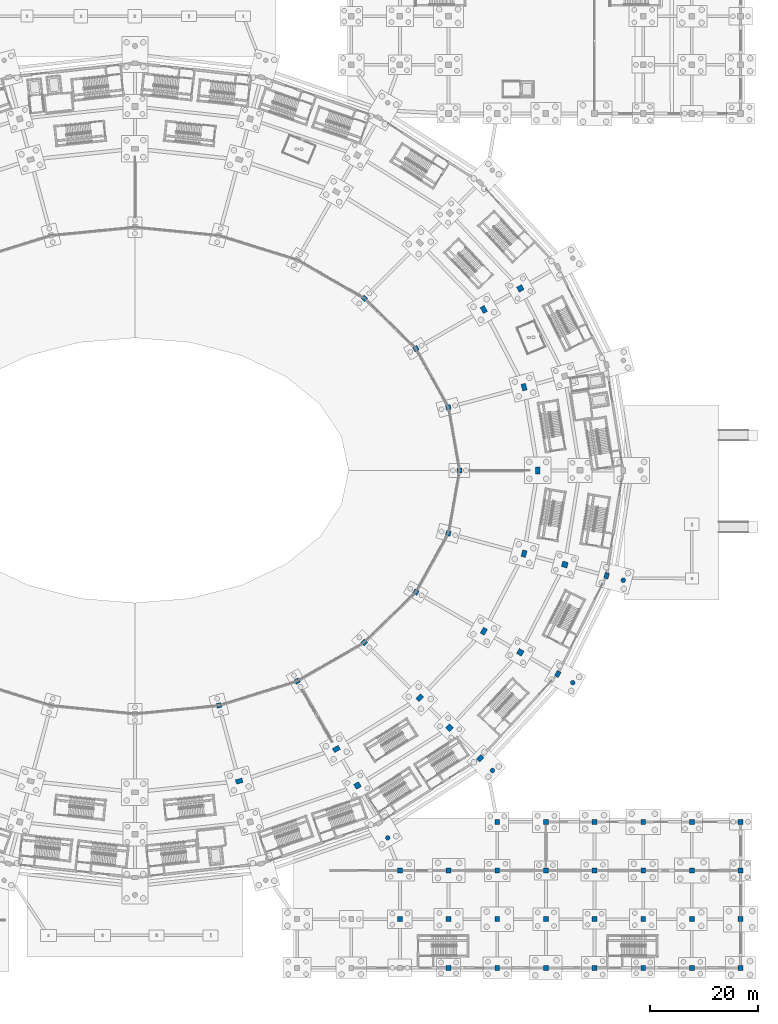
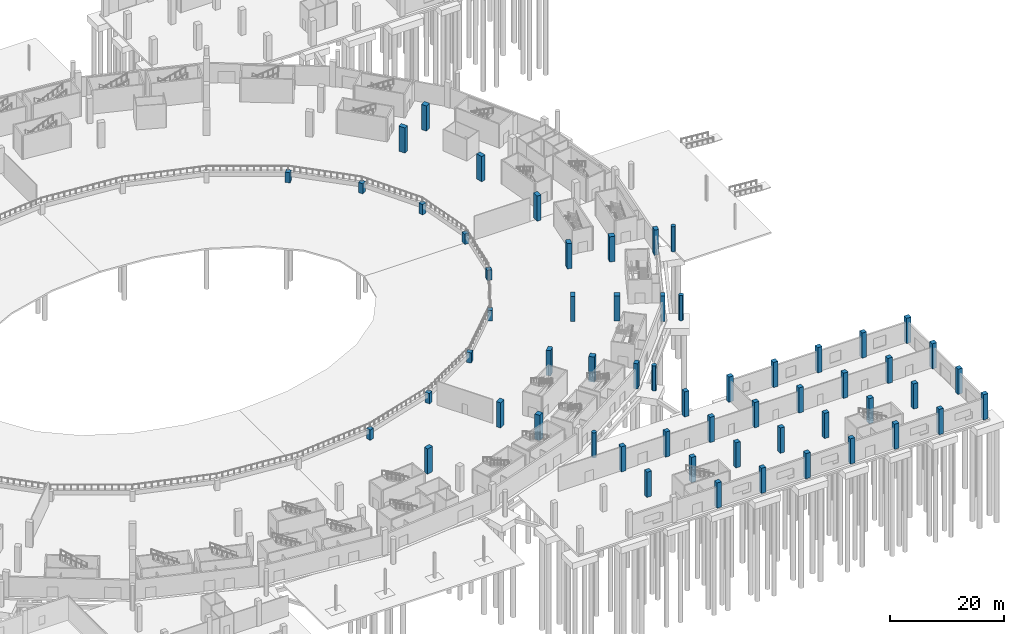
# One storey, part 20 of 103: 58 columns.
"""IFC4 building model written with IfcOpenShell, lengths in metres."""

import ifcopenshell
import ifcopenshell.guid

model = None  # the IFC model being written
_history = None  # IfcOwnerHistory: only IFC2X3 demands one
_inside = {}  # id of a spatial element -> (the spatial element, [elements in it])
_under = {}  # id of a project, library or spatial element -> (it, [spatial elements below it])
_declared = {}  # id of a project -> (the project, [libraries it declares])
_typed = {}  # id of a type object -> (the type object, [elements of that type])
_made_of = {}  # id of a material, layer set ... -> (it, [elements and type objects made of it])


def new_model(schema):
    """Start an empty IFC model of exactly this schema.

    Asked for "IFC4X3", IfcOpenShell would pick the latest addendum, in which some entities
    have other attributes; the version numbers below select the first issue.
    IFC2X3 requires an IfcOwnerHistory on every rooted entity: one is made here for all.
    """
    global model, _history
    if schema == "IFC4X3":
        model = ifcopenshell.file(schema_version=(4, 3, 0, 0))
    else:
        model = ifcopenshell.file(schema=schema)
    _inside.clear()
    _under.clear()
    _declared.clear()
    _typed.clear()
    _made_of.clear()
    _history = None
    if model.schema == "IFC2X3":
        org = make("IfcOrganization", Name="unknown")
        user = make(
            "IfcPersonAndOrganization",
            ThePerson=make("IfcPerson", FamilyName="unknown"),
            TheOrganization=org,
        )
        app = make(
            "IfcApplication",
            ApplicationDeveloper=org,
            Version="unknown",
            ApplicationFullName="unknown",
            ApplicationIdentifier="unknown",
        )
        _history = make(
            "IfcOwnerHistory",
            OwningUser=user,
            OwningApplication=app,
            ChangeAction="ADDED",
            CreationDate=0,
        )
    return model


def make(cls, **values):
    """One entity of the class cls with the attributes given. An attribute that is None is left unset."""
    return model.create_entity(
        cls, **{name: value for name, value in values.items() if value is not None}
    )


def rooted(cls, **values):
    """An entity with a GlobalId (a new one), such as an element, a storey or a relation."""
    return make(cls, GlobalId=ifcopenshell.guid.new(), OwnerHistory=_history, **values)


def si_unit(unit_type, name, prefix=None):
    """IfcSIUnit, for example si_unit("LENGTHUNIT", "METRE", prefix="MILLI")."""
    return make("IfcSIUnit", UnitType=unit_type, Prefix=prefix, Name=name)


def assignment(units):
    """IfcUnitAssignment: the units of a project."""
    return None if units is None else make("IfcUnitAssignment", Units=units)


def point(xyz):
    """IfcCartesianPoint."""
    return None if xyz is None else make("IfcCartesianPoint", Coordinates=xyz)


def direction(xyz):
    """IfcDirection."""
    return None if xyz is None else make("IfcDirection", DirectionRatios=xyz)


def frame(location, z_axis=None, x_axis=None):
    """IfcAxis2Placement3D, a coordinate frame: its origin and axes. An axis left out is left unset."""
    return make(
        "IfcAxis2Placement3D",
        Location=point(location),
        Axis=direction(z_axis),
        RefDirection=direction(x_axis),
    )


def frame_2d(location, x_axis=None):
    """IfcAxis2Placement2D, a coordinate frame in the plane: its origin and x axis."""
    return make(
        "IfcAxis2Placement2D", Location=point(location), RefDirection=direction(x_axis)
    )


def origin():
    """The frame at (0, 0, 0) with its axes left unset."""
    return frame((0.0, 0.0, 0.0))


def origin_2d():
    """The frame at (0, 0) in the plane with its x axis left unset."""
    return frame_2d((0.0, 0.0))


def place(relative_to, where):
    """IfcLocalPlacement: puts the frame where relative to a parent placement (None: the world)."""
    return make(
        "IfcLocalPlacement", PlacementRelTo=relative_to, RelativePlacement=where
    )


def context(
    kind, dimensions, precision=None, world=None, true_north=None, identifier=None
):
    """IfcGeometricRepresentationContext, for example the 3D "Model" context."""
    return make(
        "IfcGeometricRepresentationContext",
        ContextIdentifier=identifier,
        ContextType=kind,
        CoordinateSpaceDimension=dimensions,
        Precision=precision,
        WorldCoordinateSystem=world,
        TrueNorth=true_north,
    )


def subcontext(parent, identifier, kind, view, scale=None):
    """IfcGeometricRepresentationSubContext, for example "Body" below "Model"."""
    return make(
        "IfcGeometricRepresentationSubContext",
        ContextIdentifier=identifier,
        ContextType=kind,
        ParentContext=parent,
        TargetScale=scale,
        TargetView=view,
    )


def project(units=None, contexts=None):
    """IfcProject with its units and contexts."""
    return rooted(
        "IfcProject",
        Name="project",
        RepresentationContexts=contexts,
        UnitsInContext=assignment(units),
    )


def spatial(cls, under=None, at=None, **own):
    """A site, building, storey or space (cls), placed at a placement, below another one or the project."""
    s = rooted(cls, ObjectPlacement=at, **own)
    if under is not None:
        _under.setdefault(under.id(), (under, []))[1].append(s)
    return s


def profile(cls, at=None, kind="AREA", **sizes):
    """A parametric profile (cls). Its sizes go by their IFC names, for example OverallWidth=200.0."""
    return make(cls, ProfileType=kind, Position=at, **sizes)


def rectangle(**sizes):
    """IfcRectangleProfileDef."""
    return profile("IfcRectangleProfileDef", **sizes)


def circle(**sizes):
    """IfcCircleProfileDef."""
    return profile("IfcCircleProfileDef", **sizes)


def extrude(swept, where, along, depth):
    """IfcExtrudedAreaSolid: the profile swept, set in the frame where, extruded along a direction by depth."""
    return make(
        "IfcExtrudedAreaSolid",
        SweptArea=swept,
        Position=where,
        ExtrudedDirection=direction(along),
        Depth=depth,
    )


def shape(context_of_items, identifier, shape_type, items):
    """IfcShapeRepresentation: the items that make up one representation, for example the "Body"."""
    return make(
        "IfcShapeRepresentation",
        ContextOfItems=context_of_items,
        RepresentationIdentifier=identifier,
        RepresentationType=shape_type,
        Items=items,
    )


def material(Name=None, Category=None):
    """IfcMaterial."""
    return make("IfcMaterial", Name=Name, Category=Category)


def material_profile(
    of_material, cross_section, Name=None, Category=None, Priority=None
):
    """IfcMaterialProfile: a cross section and its material."""
    return make(
        "IfcMaterialProfile",
        Name=Name,
        Material=of_material,
        Profile=cross_section,
        Priority=Priority,
        Category=Category,
    )


def profile_set(profiles, Name=None, composite=None):
    """IfcMaterialProfileSet."""
    return make(
        "IfcMaterialProfileSet",
        Name=Name,
        MaterialProfiles=profiles,
        CompositeProfile=composite,
    )


def made_of(thing, what):
    """Note that an element or type object is made of a material, layer set ...; save() writes the relation."""
    if what is not None:
        _made_of.setdefault(what.id(), (what, []))[1].append(thing)
    return thing


def type_object(cls, material=None, **own):
    """A type object (cls), such as IfcWallType, which elements share."""
    return made_of(rooted(cls, **own), material)


def element(
    cls,
    number,
    at=None,
    inside=None,
    cuts=None,
    type_object=None,
    material=None,
    context=None,
    identifier="Body",
    shape_type=None,
    held_by="IfcProductDefinitionShape",
    body=None,
    shapes=None,
    **own,
):
    """One element of the class cls, such as IfcWall. Its Tag is "e" and its number.

    at: its placement. inside: the storey or other place that contains it. cuts: it is an
    opening in that element (IfcRelVoidsElement). A single representation is given by context,
    identifier, shape_type and body (its items); several are given by shapes. held_by: the class
    of the entity that holds the representations. save() writes the other relations.
    """
    e = rooted(cls, Tag="e%d" % number, ObjectPlacement=at, **own)
    if body is not None:
        shapes = [shape(context, identifier, shape_type, body)]
    if shapes is not None:
        e.Representation = make(held_by, Representations=shapes)
    if inside is not None:
        _inside.setdefault(inside.id(), (inside, []))[1].append(e)
    if cuts is not None:
        rooted(
            "IfcRelVoidsElement", RelatingBuildingElement=cuts, RelatedOpeningElement=e
        )
    if type_object is not None:
        _typed.setdefault(type_object.id(), (type_object, []))[1].append(e)
    return made_of(e, material)


def aggregate(whole, parts):
    """IfcRelAggregates: a whole, such as a stair, and the parts it consists of."""
    return rooted("IfcRelAggregates", RelatingObject=whole, RelatedObjects=parts)


def save(model, path):
    """Write the relations noted so far, then the file.

    IfcRelAggregates (storeys below a building ...), IfcRelContainedInSpatialStructure (elements
    in a storey), IfcRelDefinesByType, IfcRelAssociatesMaterial and IfcRelDeclares: one each for
    every whole, place, type object, material and project.
    """
    for whole, parts in _under.values():
        aggregate(whole, parts)
    for where, things in _inside.values():
        rooted(
            "IfcRelContainedInSpatialStructure",
            RelatedElements=things,
            RelatingStructure=where,
        )
    for kind, things in _typed.values():
        rooted("IfcRelDefinesByType", RelatedObjects=things, RelatingType=kind)
    for what, things in _made_of.values():
        rooted("IfcRelAssociatesMaterial", RelatedObjects=things, RelatingMaterial=what)
    for by, libraries in _declared.values():
        rooted("IfcRelDeclares", RelatingContext=by, RelatedDefinitions=libraries)
    model.write(path)


model = new_model("IFC4")

# Units and contexts
model_context = context("Model", 3, precision=1e-05, world=origin(), true_north=direction((0.0, 1.0)))
body_context = subcontext(model_context, "Body", "Model", "MODEL_VIEW")
ifc_project = project(units=[si_unit("LENGTHUNIT", "METRE"), si_unit("AREAUNIT", "SQUARE_METRE"), si_unit("VOLUMEUNIT", "CUBIC_METRE"), si_unit("PLANEANGLEUNIT", "RADIAN"), si_unit("MASSUNIT", "GRAM", prefix="KILO")], contexts=[model_context])

# Site, building, storey
site_placement = place(None, origin())
site = spatial("IfcSite", under=ifc_project, at=site_placement, CompositionType="ELEMENT")
building_placement = place(site_placement, origin())
building = spatial("IfcBuilding", under=site, at=building_placement, Name="Zevraka Park Crest Stadium", CompositionType="ELEMENT")
storey_placement = place(building_placement, origin())
storey = spatial("IfcBuildingStorey", under=building, at=storey_placement, Name="L00", CompositionType="ELEMENT", Elevation=0.0)

# Columns
ifc_material_1 = material(Name="Concrete C40/50", Category="concrete")
ifc_material_profile_1 = material_profile(ifc_material_1, rectangle(XDim=0.85009765625, YDim=1.25, at=origin_2d()), Name="RC 1250x850")
ifc_profile_set_1 = profile_set([ifc_material_profile_1], Name="Concrete C40/50")
column_type_1 = type_object("IfcColumnType", Name="C01", PredefinedType="COLUMN", material=ifc_profile_set_1)
for number, where, z_axis, x_axis, name in (
    (1, (186.5, 92.0, 0.0), (0.0, 0.0, 1.0), (1.0, 0.0, 0.0), "Bowl Main Column C01 L00-B-00"),
    (2, (183.9609375, 107.39990234375, 0.0), (0.0, 0.0, 1.0), (0.965925826289, 0.258819045103, 0.0), "Bowl Main Column C01 L00-B-01"),
    (3, (176.51904296875, 121.75, 0.0), (0.0, 0.0, 1.0), (0.866025403784, 0.5, 0.0), "Bowl Main Column C01 L00-B-02"),
    (4, (131.281982421875, 34.527099609375, 0.0), (0.0, 0.0, 1.0), (-0.258819045103, 0.965925826289, 0.0), "Bowl Main Column C01 L00-B-19"),
    (5, (149.25, 40.470947265625, 0.0), (0.0, 0.0, 1.0), (-0.5, 0.866025403784, 0.0), "Bowl Main Column C01 L00-B-20"),
    (6, (164.678955078125, 49.927001953125, 0.0), (0.0, 0.0, 1.0), (-0.707106781187, 0.707106781187, 0.0), "Bowl Main Column C01 L00-B-21"),
    (7, (176.51904296875, 62.25, 0.0), (0.0, 0.0, 1.0), (-0.866025403784, 0.5, 0.0), "Bowl Main Column C01 L00-B-22"),
    (8, (183.9609375, 76.60009765625, 0.0), (0.0, 0.0, 1.0), (-0.965925826289, 0.258819045103, 0.0), "Bowl Main Column C01 L00-B-23"),
):
    element("IfcColumn", number, at=place(storey_placement, frame(where, z_axis=z_axis, x_axis=x_axis)), inside=storey, type_object=column_type_1, Name=name, PredefinedType="COLUMN", context=body_context, shape_type="SweptSolid", body=[
        extrude(rectangle(XDim=0.85009765625, YDim=1.25, at=origin_2d()), origin(), (0.0, 0.0, 1.0), 5.39990234375),
    ])
ifc_material_2 = material(Name="Concrete C40/50", Category="concrete")
ifc_material_profile_2 = material_profile(ifc_material_2, rectangle(XDim=0.800048828125, YDim=1.10009765625, at=origin_2d()), Name="RC 1100x800")
ifc_profile_set_2 = profile_set([ifc_material_profile_2], Name="Concrete C40/50")
column_type_2 = type_object("IfcColumnType", Name="C02", PredefinedType="COLUMN", material=ifc_profile_set_2)
for number, where, z_axis, x_axis, name in (
    (9, (175.85205078125, 38.7548828125, 0.0), (0.0, 0.0, 1.0), (-0.707106781187, 0.707106781187, 0.0), "Perimeter Ring Column C02 L00-D-21"),
    (10, (190.201904296875, 54.35009765625, 0.0), (0.0, 0.0, 1.0), (-0.866025403784, 0.5, 0.0), "Perimeter Ring Column C02 L00-D-22"),
    (11, (199.222900390625, 72.510986328125, 0.0), (0.0, 0.0, 1.0), (-0.965925826289, 0.258819045103, 0.0), "Perimeter Ring Column C02 L00-D-23"),
):
    element("IfcColumn", number, at=place(storey_placement, frame(where, z_axis=z_axis, x_axis=x_axis)), inside=storey, type_object=column_type_2, Name=name, PredefinedType="COLUMN", context=body_context, shape_type="SweptSolid", body=[
        extrude(rectangle(XDim=0.800048828125, YDim=1.10009765625, at=origin_2d()), origin(), (0.0, 0.0, 1.0), 5.39990234375),
    ])
ifc_material_3 = material(Name="Concrete C40/50", Category="concrete")
ifc_material_profile_3 = material_profile(ifc_material_3, rectangle(XDim=1.050048828125, YDim=1.050048828125, at=origin_2d()), Name="RC 1050x1050")
ifc_profile_set_3 = profile_set([ifc_material_profile_3], Name="Concrete C40/50")
column_type_3 = type_object("IfcColumnType", Name="C03", PredefinedType="COLUMN", material=ifc_profile_set_3)
for number, where, z_axis, x_axis, name in (
    (12, (183.27392578125, 125.64990234375, 0.0), (0.0, 0.0, 1.0), (0.866025403784, 0.5, 0.0), "Concourse Mid Column C03 L00-C-02"),
    (13, (153.14990234375, 33.716064453125, 0.0), (0.0, 0.0, 1.0), (-0.5, 0.866025403784, 0.0), "Concourse Mid Column C03 L00-C-20"),
    (14, (170.195068359375, 44.412109375, 0.0), (0.0, 0.0, 1.0), (-0.707106781187, 0.707106781187, 0.0), "Concourse Mid Column C03 L00-C-21"),
    (15, (183.27392578125, 58.35009765625, 0.0), (0.0, 0.0, 1.0), (-0.866025403784, 0.5, 0.0), "Concourse Mid Column C03 L00-C-22"),
    (16, (191.49609375, 74.5810546875, 0.0), (0.0, 0.0, 1.0), (-0.965925826289, 0.258819045103, 0.0), "Concourse Mid Column C03 L00-C-23"),
):
    element("IfcColumn", number, at=place(storey_placement, frame(where, z_axis=z_axis, x_axis=x_axis)), inside=storey, type_object=column_type_3, Name=name, PredefinedType="COLUMN", context=body_context, shape_type="SweptSolid", body=[
        extrude(rectangle(XDim=1.050048828125, YDim=1.050048828125, at=origin_2d()), origin(), (0.0, 0.0, 1.0), 5.39990234375),
    ])
ifc_material_4 = material(Name="Concrete C40/50", Category="concrete")
ifc_material_profile_4 = material_profile(ifc_material_4, rectangle(XDim=0.89990234375, YDim=0.89990234375, at=origin_2d()), Name="RC 900x900")
ifc_profile_set_4 = profile_set([ifc_material_profile_4], Name="Concrete C40/50")
column_type_4 = type_object("IfcColumnType", Name="C04", PredefinedType="COLUMN", material=ifc_profile_set_4)
for number, where, z_axis, x_axis, name in (
    (17, (172.0, 92.0, 0.0), (0.0, 0.0, 1.0), (1.0, 0.0, 0.0), "Bowl Moat Column C04 L00-A-00"),
    (18, (169.9560546875, 103.64697265625, 0.0), (0.0, 0.0, 1.0), (0.965925826289, 0.258819045103, 0.0), "Bowl Moat Column C04 L00-A-01"),
    (19, (163.9619140625, 114.5, 0.0), (0.0, 0.0, 1.0), (0.866025403784, 0.5, 0.0), "Bowl Moat Column C04 L00-A-02"),
    (20, (154.426025390625, 123.820068359375, 0.0), (0.0, 0.0, 1.0), (0.707106781187, 0.707106781187, 0.0), "Bowl Moat Column C04 L00-A-03"),
    (21, (127.529052734375, 48.532958984375, 0.0), (0.0, 0.0, 1.0), (-0.258819045103, 0.965925826289, 0.0), "Bowl Moat Column C04 L00-A-19"),
    (22, (142.0, 53.029052734375, 0.0), (0.0, 0.0, 1.0), (-0.5, 0.866025403784, 0.0), "Bowl Moat Column C04 L00-A-20"),
    (23, (154.426025390625, 60.179931640625, 0.0), (0.0, 0.0, 1.0), (-0.707106781187, 0.707106781187, 0.0), "Bowl Moat Column C04 L00-A-21"),
    (24, (163.9619140625, 69.5, 0.0), (0.0, 0.0, 1.0), (-0.866025403784, 0.5, 0.0), "Bowl Moat Column C04 L00-A-22"),
    (25, (169.9560546875, 80.35302734375, 0.0), (0.0, 0.0, 1.0), (-0.965925826289, 0.258819045103, 0.0), "Bowl Moat Column C04 L00-A-23"),
):
    element("IfcColumn", number, at=place(storey_placement, frame(where, z_axis=z_axis, x_axis=x_axis)), inside=storey, type_object=column_type_4, Name=name, PredefinedType="COLUMN", context=body_context, shape_type="SweptSolid", body=[
        extrude(rectangle(XDim=0.89990234375, YDim=0.89990234375, at=origin_2d()), origin(), (0.0, 0.0, 1.0), 2.199951171875),
    ])
for number, where, z_axis, x_axis, name in (
    (26, (161.0, 9.0, 0.0), (0.0, 0.0, 1.0), (1.0, 0.0, 0.0), "Wing Column C04 L00-18/B"),
    (27, (161.0, 18.0, 0.0), (0.0, 0.0, 1.0), (1.0, 0.0, 0.0), "Wing Column C04 L00-18/C"),
    (28, (170.0, 0.0, 0.0), (0.0, 0.0, 1.0), (1.0, 0.0, 0.0), "Wing Column C04 L00-19/A"),
    (29, (170.0, 9.0, 0.0), (0.0, 0.0, 1.0), (1.0, 0.0, 0.0), "Wing Column C04 L00-19/B"),
    (30, (170.0, 18.0, 0.0), (0.0, 0.0, 1.0), (1.0, 0.0, 0.0), "Wing Column C04 L00-19/C"),
    (31, (179.0, 0.0, 0.0), (0.0, 0.0, 1.0), (1.0, 0.0, 0.0), "Wing Column C04 L00-20/A"),
    (32, (179.0, 9.0, 0.0), (0.0, 0.0, 1.0), (1.0, 0.0, 0.0), "Wing Column C04 L00-20/B"),
    (33, (179.0, 18.0, 0.0), (0.0, 0.0, 1.0), (1.0, 0.0, 0.0), "Wing Column C04 L00-20/C"),
    (34, (179.0, 27.0, 0.0), (0.0, 0.0, 1.0), (1.0, 0.0, 0.0), "Wing Column C04 L00-20/D"),
    (35, (188.0, 0.0, 0.0), (0.0, 0.0, 1.0), (1.0, 0.0, 0.0), "Wing Column C04 L00-21/A"),
    (36, (188.0, 9.0, 0.0), (0.0, 0.0, 1.0), (1.0, 0.0, 0.0), "Wing Column C04 L00-21/B"),
    (37, (188.0, 18.0, 0.0), (0.0, 0.0, 1.0), (1.0, 0.0, 0.0), "Wing Column C04 L00-21/C"),
    (38, (188.0, 27.0, 0.0), (0.0, 0.0, 1.0), (1.0, 0.0, 0.0), "Wing Column C04 L00-21/D"),
    (39, (197.0, 0.0, 0.0), (0.0, 0.0, 1.0), (1.0, 0.0, 0.0), "Wing Column C04 L00-22/A"),
    (40, (197.0, 9.0, 0.0), (0.0, 0.0, 1.0), (1.0, 0.0, 0.0), "Wing Column C04 L00-22/B"),
    (41, (197.0, 18.0, 0.0), (0.0, 0.0, 1.0), (1.0, 0.0, 0.0), "Wing Column C04 L00-22/C"),
    (42, (197.0, 27.0, 0.0), (0.0, 0.0, 1.0), (1.0, 0.0, 0.0), "Wing Column C04 L00-22/D"),
    (43, (206.0, 0.0, 0.0), (0.0, 0.0, 1.0), (1.0, 0.0, 0.0), "Wing Column C04 L00-23/A"),
    (44, (206.0, 9.0, 0.0), (0.0, 0.0, 1.0), (1.0, 0.0, 0.0), "Wing Column C04 L00-23/B"),
    (45, (206.0, 18.0, 0.0), (0.0, 0.0, 1.0), (1.0, 0.0, 0.0), "Wing Column C04 L00-23/C"),
    (46, (206.0, 27.0, 0.0), (0.0, 0.0, 1.0), (1.0, 0.0, 0.0), "Wing Column C04 L00-23/D"),
    (47, (215.0, 0.0, 0.0), (0.0, 0.0, 1.0), (1.0, 0.0, 0.0), "Wing Column C04 L00-24/A"),
    (48, (215.0, 9.0, 0.0), (0.0, 0.0, 1.0), (1.0, 0.0, 0.0), "Wing Column C04 L00-24/B"),
    (49, (215.0, 18.0, 0.0), (0.0, 0.0, 1.0), (1.0, 0.0, 0.0), "Wing Column C04 L00-24/C"),
    (50, (215.0, 27.0, 0.0), (0.0, 0.0, 1.0), (1.0, 0.0, 0.0), "Wing Column C04 L00-24/D"),
    (51, (224.0, 0.0, 0.0), (0.0, 0.0, 1.0), (1.0, 0.0, 0.0), "Wing Column C04 L00-25/A"),
    (52, (224.0, 9.0, 0.0), (0.0, 0.0, 1.0), (1.0, 0.0, 0.0), "Wing Column C04 L00-25/B"),
    (53, (224.0, 18.0, 0.0), (0.0, 0.0, 1.0), (1.0, 0.0, 0.0), "Wing Column C04 L00-25/C"),
    (54, (224.0, 27.0, 0.0), (0.0, 0.0, 1.0), (1.0, 0.0, 0.0), "Wing Column C04 L00-25/D"),
):
    element("IfcColumn", number, at=place(storey_placement, frame(where, z_axis=z_axis, x_axis=x_axis)), inside=storey, type_object=column_type_4, Name=name, PredefinedType="COLUMN", context=body_context, shape_type="SweptSolid", body=[
        extrude(rectangle(XDim=0.89990234375, YDim=0.89990234375, at=origin_2d()), origin(), (0.0, 0.0, 1.0), 5.39990234375),
    ])
ifc_material_5 = material(Name="Concrete C40/50", Category="concrete")
ifc_material_profile_5 = material_profile(ifc_material_5, circle(Radius=0.425048828125, at=origin_2d()), Name="RC D850")
ifc_profile_set_5 = profile_set([ifc_material_profile_5], Name="Concrete C40/50")
column_type_5 = type_object("IfcColumnType", Name="C06", PredefinedType="COLUMN", material=ifc_profile_set_5)
for number, where, z_axis, x_axis, name in (
    (55, (158.75, 24.01708984375, 0.0), (0.0, 0.0, 1.0), (1.0, 0.0, 0.0), "Arcade Cumba Column C06 L00-E-20"),
    (56, (178.114013671875, 36.491943359375, 0.0), (0.0, 0.0, 1.0), (1.0, 0.0, 0.0), "Arcade Cumba Column C06 L00-E-21"),
    (57, (192.972900390625, 52.75, 0.0), (0.0, 0.0, 1.0), (1.0, 0.0, 0.0), "Arcade Cumba Column C06 L00-E-22"),
    (58, (202.31396484375, 71.68310546875, 0.0), (0.0, 0.0, 1.0), (1.0, 0.0, 0.0), "Arcade Cumba Column C06 L00-E-23"),
):
    element("IfcColumn", number, at=place(storey_placement, frame(where, z_axis=z_axis, x_axis=x_axis)), inside=storey, type_object=column_type_5, Name=name, PredefinedType="COLUMN", context=body_context, shape_type="SweptSolid", body=[
        extrude(circle(Radius=0.425048828125, at=origin_2d()), origin(), (0.0, 0.0, 1.0), 5.39990234375),
    ])

save(model, "model.ifc")
